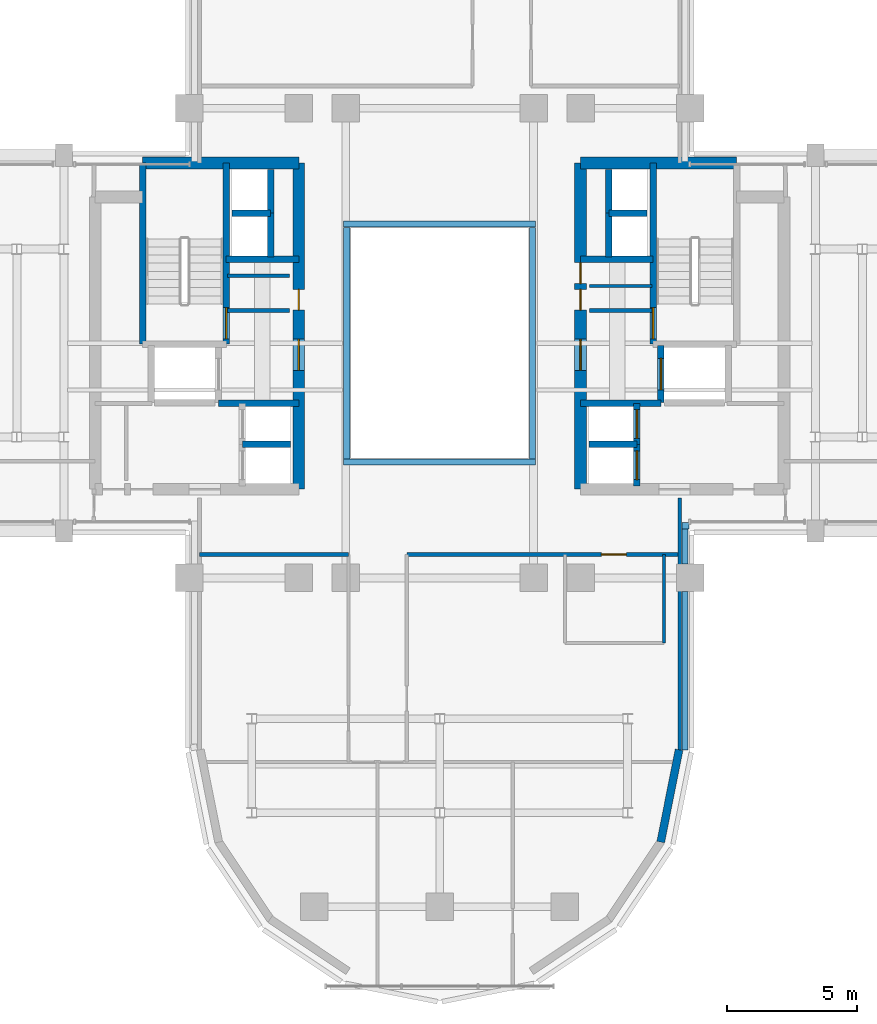
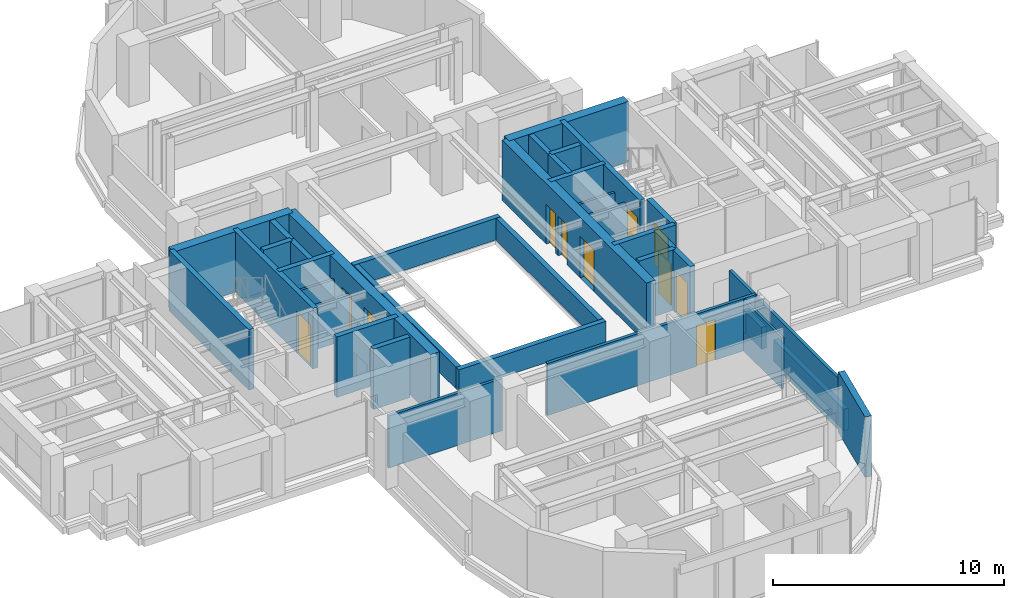
# One storey, part 9 of 14: 38 walls, 11 doors, 11 openings.
"""IFC4 building model written with IfcOpenShell, lengths in metres."""

from ifc_helpers import new_model, si_unit, direction, frame, frame_2d, origin, place, context, subcontext, project, spatial, rectangle, extrude, source, transform, mapped, material, layer, layer_set, type_object, element, fill, save


model = new_model("IFC4")

# Units and contexts
model_context = context("Model", 3, precision=1e-05, world=origin(), true_north=direction((0.0, 1.0)))
body_context = subcontext(model_context, "Body", "Model", "MODEL_VIEW")
ifc_project = project(units=[si_unit("LENGTHUNIT", "METRE"), si_unit("AREAUNIT", "SQUARE_METRE"), si_unit("VOLUMEUNIT", "CUBIC_METRE"), si_unit("PLANEANGLEUNIT", "RADIAN"), si_unit("MASSUNIT", "GRAM", prefix="KILO")], contexts=[model_context])

# Site, building, storey
site_placement = place(None, origin())
site = spatial("IfcSite", under=ifc_project, at=site_placement, CompositionType="ELEMENT")
building_placement = place(site_placement, origin())
building = spatial("IfcBuilding", under=site, at=building_placement, Name="Keilestroom Media Tower", CompositionType="ELEMENT")
storey_placement = place(building_placement, frame((0.0, 0.0, 124.39990234375)))
storey = spatial("IfcBuildingStorey", under=building, at=storey_placement, Name="L33", CompositionType="ELEMENT", Elevation=124.39990234375)

# Walls
ifc_material_1 = material(Name="Precast concrete C40/50", Category="concrete")
ifc_layer_1 = layer(ifc_material_1, 0.300048828125)
ifc_layer_set_1 = layer_set([ifc_layer_1], Name="Precast concrete C40/50")
wall_type_1 = type_object("IfcWallType", Name="Exterior-Masonry-Spandrel-Wall-300", PredefinedType="SOLIDWALL", material=ifc_layer_set_1)
wall_1_placement = place(storey_placement, frame((8.470703125, -19.12451171875, 0.0), z_axis=(0.0, 0.0, 1.0), x_axis=(0.195114232679, 0.980780523974, 0.0)))
element("IfcWall", 1, at=wall_1_placement, inside=storey, type_object=wall_type_1, Name="L33 Lobe Facet Precast Frame Wall 12", PredefinedType="SOLIDWALL", context=body_context, shape_type="SweptSolid", body=[
    extrude(rectangle(XDim=3.608642578125, YDim=0.300048828125, at=frame_2d((1.80419921875, 0.0))), origin(), (0.0, 0.0, 1.0), 3.2001953125),
])
ifc_material_2 = material(Name="Gypsum Plasterboard & Steel Stud", Category="steel")
ifc_layer_2 = layer(ifc_material_2, 0.1201171875)
ifc_layer_set_2 = layer_set([ifc_layer_2], Name="Gypsum Plasterboard & Steel Stud")
wall_type_2 = type_object("IfcWallType", Name="Interior-Partition-Wall-120", PredefinedType="PARTITIONING", material=ifc_layer_set_2)
for number, where, z_axis, x_axis, name in (
    (2, (-8.139892578125, 2.580078125, 0.0), (0.0, 0.0, 1.0), (1.0, 0.0, 0.0), "L33 Interior Wall WP-L33-CNW-N"),
    (3, (5.75, 2.179931640625, 0.0), (0.0, 0.0, 1.0), (1.0, 0.0, 0.0), "L33 Interior Wall WP-L33-CNE-N"),
):
    element("IfcWall", number, at=place(storey_placement, frame(where, z_axis=z_axis, x_axis=x_axis)), inside=storey, type_object=wall_type_2, Name=name, PredefinedType="PARTITIONING", context=body_context, shape_type="SweptSolid", body=[
        extrude(rectangle(XDim=2.389892578125, YDim=0.1201171875, at=frame_2d((1.19482421875, 0.0))), origin(), (0.0, 0.0, 1.0), 2.300048828125),
    ])
wall_2_placement = place(storey_placement, frame((8.60009765625, -11.5, 0.0), z_axis=(0.0, 0.0, 1.0), x_axis=(0.0, 1.0, 0.0)))
element("IfcWall", 4, at=wall_2_placement, inside=storey, type_object=wall_type_2, Name="L33 Interior Wall WP-L33-SL-WC-E", PredefinedType="PARTITIONING", context=body_context, shape_type="SweptSolid", body=[
    extrude(rectangle(XDim=3.39990234375, YDim=0.1201171875, at=frame_2d((1.699951171875, 0.0))), origin(), (0.0, 0.0, 1.0), 2.7001953125),
])
ifc_layer_3 = layer(ifc_material_2, 0.14990234375)
ifc_layer_set_3 = layer_set([ifc_layer_3], Name="Gypsum Plasterboard & Steel Stud")
wall_type_3 = type_object("IfcWallType", Name="Interior-Partition-Wall-150", PredefinedType="PARTITIONING", material=ifc_layer_set_3)
for number, where, z_axis, x_axis, name in (
    (5, (-8.139892578125, 1.239990234375, 0.0), (0.0, 0.0, 1.0), (1.0, 0.0, 0.0), "L33 Interior Wall WP-L33-FFW-TOP"),
    (6, (5.75, 1.239990234375, 0.0), (0.0, 0.0, 1.0), (1.0, 0.0, 0.0), "L33 Interior Wall WP-L33-FFE-TOP"),
):
    element("IfcWall", number, at=place(storey_placement, frame(where, z_axis=z_axis, x_axis=x_axis)), inside=storey, type_object=wall_type_3, Name=name, PredefinedType="PARTITIONING", context=body_context, shape_type="SweptSolid", body=[
        extrude(rectangle(XDim=2.389892578125, YDim=0.14990234375, at=frame_2d((1.19482421875, 0.0))), origin(), (0.0, 0.0, 1.0), 2.300048828125),
    ])
wall_3_placement = place(storey_placement, frame((9.199951171875, -15.679931640625, 0.0), z_axis=(0.0, 0.0, 1.0), x_axis=(0.0, 1.0, 0.0)))
element("IfcWall", 7, at=wall_3_placement, inside=storey, type_object=wall_type_3, Name="L33 Interior Wall WP-L33-SL-CHKE", PredefinedType="PARTITIONING", context=body_context, shape_type="SweptSolid", body=[
    extrude(rectangle(XDim=9.739990234375, YDim=0.14990234375, at=frame_2d((4.8701171875, 0.0))), origin(), (0.0, 0.0, 1.0), 2.7001953125),
])
wall_4_placement = place(storey_placement, frame((-9.199951171875, -8.10009765625, 0.0), z_axis=(0.0, 0.0, 1.0), x_axis=(1.0, 0.0, 0.0)))
element("IfcWall", 8, at=wall_4_placement, inside=storey, type_object=wall_type_3, Name="L33 Interior Wall WP-L33-SL-BASE-W", PredefinedType="PARTITIONING", context=body_context, shape_type="SweptSolid", body=[
    extrude(rectangle(XDim=5.699951171875, YDim=0.14990234375, at=frame_2d((2.85009765625, 0.0))), origin(), (0.0, 0.0, 1.0), 2.760009765625),
])

# Wall, opening, door
wall_5_placement = place(storey_placement, frame((-1.260009765625, -8.10009765625, 0.0), z_axis=(0.0, 0.0, 1.0), x_axis=(1.0, 0.0, 0.0)))
wall_5 = element("IfcWall", 9, at=wall_5_placement, inside=storey, type_object=wall_type_3, Name="L33 Interior Wall WP-L33-SL-BASE-E", PredefinedType="PARTITIONING", context=body_context, shape_type="SweptSolid", body=[
    extrude(rectangle(XDim=10.4599609375, YDim=0.14990234375, at=frame_2d((5.22998046875, 0.0))), origin(), (0.0, 0.0, 1.0), 2.760009765625),
])
opening_1_placement = place(wall_5_placement, frame((7.4599609375, 0.0, 0.0)))
opening_1 = element("IfcOpeningElement", 10, at=opening_1_placement, cuts=wall_5, Name="Opening DI-03", PredefinedType="OPENING", context=body_context, shape_type="SweptSolid", body=[
    extrude(rectangle(XDim=0.949951171875, YDim=2.14990234375, at=frame_2d((0.47509765625, 1.074951171875))), frame((0.0, 0.0849609375, 0.0), z_axis=(0.0, -1.0, 0.0), x_axis=(1.0, 0.0, 0.0)), (0.0, 0.0, 1.0), 0.169921875),
])
ifc_material_3 = material(Name="Lacquered European Oak Leaf", Category="wood")
door_type_1 = type_object("IfcDoorType", Name="Interior-Room-And-Suite-Door-DI-03", OperationType="NOTDEFINED", PredefinedType="DOOR", material=ifc_material_3)
shared_shape_1 = source(origin(), body_context, "Body", "SweptSolid", [
    extrude(rectangle(XDim=0.949951171875, YDim=2.14990234375, at=frame_2d((0.47509765625, 1.074951171875))), frame((0.0, 0.02490234375, 0.0), z_axis=(0.0, -1.0, 0.0), x_axis=(1.0, 0.0, 0.0)), (0.0, 0.0, 1.0), 0.050048828125),
])
door_1_placement = place(opening_1_placement, origin())
door_1 = element("IfcDoor", 11, at=door_1_placement, inside=storey, type_object=door_type_1, Name="L33 Interior Door DI-L33-DSL-WC", OperationType="SINGLE_SWING_RIGHT", OverallHeight=2.14990234375, OverallWidth=0.949951171875, PredefinedType="DOOR", context=body_context, shape_type="MappedRepresentation", body=[
    mapped(shared_shape_1, transform((0.0, 0.0, 0.0), x_axis=(1.0, 0.0, 0.0), y_axis=(0.0, 1.0, 0.0), z_axis=(0.0, 0.0, 1.0), scale=1.0)),
])
fill(opening_1, door_1)

# Wall, openings, doors
ifc_material_4 = material(Name="Concrete C55/67", Category="concrete")
ifc_layer_4 = layer(ifc_material_4, 0.449951171875)
ifc_layer_set_4 = layer_set([ifc_layer_4], Name="Concrete C55/67")
wall_type_4 = type_object("IfcWallType", Name="Reinforced-Concrete-Core-Shear-Wall-450", PredefinedType="SHEAR", material=ifc_layer_set_4)
wall_6_placement = place(storey_placement, frame((-5.39990234375, -5.60009765625, 0.0), z_axis=(0.0, 0.0, 1.0), x_axis=(0.0, 1.0, 0.0)))
wall_6 = element("IfcWall", 12, at=wall_6_placement, inside=storey, type_object=wall_type_4, Name="L33 Core Shear Wall WL-L33-CORE-W-IN", PredefinedType="SHEAR", context=body_context, shape_type="SweptSolid", body=[
    extrude(rectangle(XDim=12.5, YDim=0.449951171875, at=frame_2d((6.25, 0.0))), origin(), (0.0, 0.0, 1.0), 3.2001953125),
])
opening_2_placement = place(wall_6_placement, frame((4.550048828125, 0.0, 0.0)))
opening_2 = element("IfcOpeningElement", 13, at=opening_2_placement, cuts=wall_6, Name="Opening DI-02", PredefinedType="OPENING", context=body_context, shape_type="SweptSolid", body=[
    extrude(rectangle(XDim=1.199951171875, YDim=2.199951171875, at=frame_2d((0.60009765625, 1.10009765625))), frame((0.0, 0.23486328125, 0.0), z_axis=(0.0, -1.0, 0.0), x_axis=(1.0, 0.0, 0.0)), (0.0, 0.0, 1.0), 0.469970703125),
])
opening_3_placement = place(wall_6_placement, frame((6.860107421875, 0.0, 0.0)))
opening_3 = element("IfcOpeningElement", 14, at=opening_3_placement, cuts=wall_6, Name="Opening DI-06", PredefinedType="OPENING", context=body_context, shape_type="SweptSolid", body=[
    extrude(rectangle(XDim=0.800048828125, YDim=2.10009765625, at=frame_2d((0.39990234375, 1.050048828125))), frame((0.0, 0.23486328125, 0.0), z_axis=(0.0, -1.0, 0.0), x_axis=(1.0, 0.0, 0.0)), (0.0, 0.0, 1.0), 0.469970703125),
])
ifc_material_5 = material(Name="Powder-Coated Steel Fire Leaf", Category="steel")
door_type_2 = type_object("IfcDoorType", Name="Interior-Compartment-Fire-Door-DI-02", OperationType="NOTDEFINED", PredefinedType="DOOR", material=ifc_material_5)
shared_shape_2 = source(origin(), body_context, "Body", "SweptSolid", [
    extrude(rectangle(XDim=1.199951171875, YDim=2.199951171875, at=frame_2d((0.60009765625, 1.10009765625))), frame((0.0, 0.02490234375, 0.0), z_axis=(0.0, -1.0, 0.0), x_axis=(1.0, 0.0, 0.0)), (0.0, 0.0, 1.0), 0.050048828125),
])
door_2_placement = place(opening_2_placement, origin())
door_2 = element("IfcDoor", 15, at=door_2_placement, inside=storey, type_object=door_type_2, Name="L33 W Firefighting Lobby Door", OperationType="SINGLE_SWING_RIGHT", OverallHeight=2.199951171875, OverallWidth=1.199951171875, PredefinedType="DOOR", context=body_context, shape_type="MappedRepresentation", body=[
    mapped(shared_shape_2, transform((0.0, 0.0, 0.0), x_axis=(1.0, 0.0, 0.0), y_axis=(0.0, 1.0, 0.0), z_axis=(0.0, 0.0, 1.0), scale=1.0)),
])
fill(opening_2, door_2)
ifc_material_6 = material(Name="Powder-Coated Steel Service Leaf", Category="steel")
door_type_3 = type_object("IfcDoorType", Name="Interior-Riser-Access-Door-DI-06", OperationType="NOTDEFINED", PredefinedType="DOOR", material=ifc_material_6)
shared_shape_3 = source(origin(), body_context, "Body", "SweptSolid", [
    extrude(rectangle(XDim=0.800048828125, YDim=2.10009765625, at=frame_2d((0.39990234375, 1.050048828125))), frame((0.0, 0.02490234375, 0.0), z_axis=(0.0, -1.0, 0.0), x_axis=(1.0, 0.0, 0.0)), (0.0, 0.0, 1.0), 0.050048828125),
])
door_3_placement = place(opening_3_placement, origin())
door_3 = element("IfcDoor", 16, at=door_3_placement, inside=storey, type_object=door_type_3, Name="L33 West Core Switchroom Door", OperationType="SINGLE_SWING_LEFT", OverallHeight=2.10009765625, OverallWidth=0.800048828125, PredefinedType="DOOR", context=body_context, shape_type="MappedRepresentation", body=[
    mapped(shared_shape_3, transform((0.0, 0.0, 0.0), x_axis=(1.0, 0.0, 0.0), y_axis=(0.0, 1.0, 0.0), z_axis=(0.0, 0.0, 1.0), scale=1.0)),
])
fill(opening_3, door_3)

# Wall
wall_7_placement = place(storey_placement, frame((-11.381103515625, 6.89990234375, 0.0), z_axis=(0.0, 0.0, 1.0), x_axis=(1.0, 0.0, 0.0)))
element("IfcWall", 17, at=wall_7_placement, inside=storey, type_object=wall_type_4, Name="L33 Core Shear Wall WL-L33-CORE-W-N", PredefinedType="SHEAR", context=body_context, shape_type="SweptSolid", body=[
    extrude(rectangle(XDim=5.981201171875, YDim=0.449951171875, at=frame_2d((2.99072265625, 0.0))), origin(), (0.0, 0.0, 1.0), 3.2001953125),
])

# Wall, openings, doors
wall_8_placement = place(storey_placement, frame((5.39990234375, -5.60009765625, 0.0), z_axis=(0.0, 0.0, 1.0), x_axis=(0.0, 1.0, 0.0)))
wall_8 = element("IfcWall", 18, at=wall_8_placement, inside=storey, type_object=wall_type_4, Name="L33 Core Shear Wall WL-L33-CORE-E-IN", PredefinedType="SHEAR", context=body_context, shape_type="SweptSolid", body=[
    extrude(rectangle(XDim=12.5, YDim=0.449951171875, at=frame_2d((6.25, 0.0))), origin(), (0.0, 0.0, 1.0), 3.2001953125),
])
opening_4_placement = place(wall_8_placement, frame((4.550048828125, 0.0, 0.0)))
opening_4 = element("IfcOpeningElement", 19, at=opening_4_placement, cuts=wall_8, Name="Opening DI-02", PredefinedType="OPENING", context=body_context, shape_type="SweptSolid", body=[
    extrude(rectangle(XDim=1.199951171875, YDim=2.199951171875, at=frame_2d((0.60009765625, 1.10009765625))), frame((0.0, 0.23486328125, 0.0), z_axis=(0.0, -1.0, 0.0), x_axis=(1.0, 0.0, 0.0)), (0.0, 0.0, 1.0), 0.469970703125),
])
opening_5_placement = place(wall_8_placement, frame((6.860107421875, 0.0, 0.0)))
opening_5 = element("IfcOpeningElement", 20, at=opening_5_placement, cuts=wall_8, Name="Opening DI-06", PredefinedType="OPENING", context=body_context, shape_type="SweptSolid", body=[
    extrude(rectangle(XDim=0.800048828125, YDim=2.10009765625, at=frame_2d((0.39990234375, 1.050048828125))), frame((0.0, 0.23486328125, 0.0), z_axis=(0.0, -1.0, 0.0), x_axis=(1.0, 0.0, 0.0)), (0.0, 0.0, 1.0), 0.469970703125),
])
opening_6_placement = place(wall_8_placement, frame((7.8798828125, 0.0, 0.0)))
opening_6 = element("IfcOpeningElement", 21, at=opening_6_placement, cuts=wall_8, Name="Opening DI-06", PredefinedType="OPENING", context=body_context, shape_type="SweptSolid", body=[
    extrude(rectangle(XDim=0.800048828125, YDim=2.10009765625, at=frame_2d((0.39990234375, 1.050048828125))), frame((0.0, 0.23486328125, 0.0), z_axis=(0.0, -1.0, 0.0), x_axis=(1.0, 0.0, 0.0)), (0.0, 0.0, 1.0), 0.469970703125),
])
door_4_placement = place(opening_4_placement, origin())
door_4 = element("IfcDoor", 22, at=door_4_placement, inside=storey, type_object=door_type_2, Name="L33 E Firefighting Lobby Door", OperationType="SINGLE_SWING_LEFT", OverallHeight=2.199951171875, OverallWidth=1.199951171875, PredefinedType="DOOR", context=body_context, shape_type="MappedRepresentation", body=[
    mapped(shared_shape_2, transform((0.0, 0.0, 0.0), x_axis=(1.0, 0.0, 0.0), y_axis=(0.0, 1.0, 0.0), z_axis=(0.0, 0.0, 1.0), scale=1.0)),
])
fill(opening_4, door_4)
door_5_placement = place(opening_5_placement, origin())
door_5 = element("IfcDoor", 23, at=door_5_placement, inside=storey, type_object=door_type_3, Name="L33 East Core Telecom Door", OperationType="SINGLE_SWING_RIGHT", OverallHeight=2.10009765625, OverallWidth=0.800048828125, PredefinedType="DOOR", context=body_context, shape_type="MappedRepresentation", body=[
    mapped(shared_shape_3, transform((0.0, 0.0, 0.0), x_axis=(1.0, 0.0, 0.0), y_axis=(0.0, 1.0, 0.0), z_axis=(0.0, 0.0, 1.0), scale=1.0)),
])
fill(opening_5, door_5)
door_6_placement = place(opening_6_placement, origin())
door_6 = element("IfcDoor", 24, at=door_6_placement, inside=storey, type_object=door_type_3, Name="L33 East Core Closet Door", OperationType="SINGLE_SWING_RIGHT", OverallHeight=2.10009765625, OverallWidth=0.800048828125, PredefinedType="DOOR", context=body_context, shape_type="MappedRepresentation", body=[
    mapped(shared_shape_3, transform((0.0, 0.0, 0.0), x_axis=(1.0, 0.0, 0.0), y_axis=(0.0, 1.0, 0.0), z_axis=(0.0, 0.0, 1.0), scale=1.0)),
])
fill(opening_6, door_6)

# Walls
wall_9_placement = place(storey_placement, frame((5.39990234375, 6.89990234375, 0.0), z_axis=(0.0, 0.0, 1.0), x_axis=(1.0, 0.0, 0.0)))
element("IfcWall", 25, at=wall_9_placement, inside=storey, type_object=wall_type_4, Name="L33 Core Shear Wall WL-L33-CORE-E-N", PredefinedType="SHEAR", context=body_context, shape_type="SweptSolid", body=[
    extrude(rectangle(XDim=5.981201171875, YDim=0.449951171875, at=frame_2d((2.99072265625, 0.0))), origin(), (0.0, 0.0, 1.0), 3.2001953125),
])
ifc_material_7 = material(Name="Concrete C50/60", Category="concrete")
ifc_layer_5 = layer(ifc_material_7, 0.25)
ifc_layer_set_5 = layer_set([ifc_layer_5], Name="Concrete C50/60")
wall_type_5 = type_object("IfcWallType", Name="Reinforced-Concrete-Shaft-Wall-250", PredefinedType="SOLIDWALL", material=ifc_layer_set_5)
wall_10_placement = place(storey_placement, frame((-8.179931640625, 3.219970703125, 0.0), z_axis=(0.0, 0.0, 1.0), x_axis=(1.0, 0.0, 0.0)))
element("IfcWall", 26, at=wall_10_placement, inside=storey, type_object=wall_type_5, Name="L33 Core Shear Wall WL-L33-CORE-W-FFN", PredefinedType="SOLIDWALL", context=body_context, shape_type="SweptSolid", body=[
    extrude(rectangle(XDim=2.780029296875, YDim=0.25, at=frame_2d((1.39013671875, 0.0))), origin(), (0.0, 0.0, 1.0), 3.2001953125),
])
wall_11_placement = place(storey_placement, frame((-8.47998046875, -2.300048828125, 0.0), z_axis=(0.0, 0.0, 1.0), x_axis=(1.0, 0.0, 0.0)))
element("IfcWall", 27, at=wall_11_placement, inside=storey, type_object=wall_type_5, Name="L33 Core Shear Wall WL-L33-CORE-W-FFS", PredefinedType="SOLIDWALL", context=body_context, shape_type="SweptSolid", body=[
    extrude(rectangle(XDim=3.080078125, YDim=0.25, at=frame_2d((1.5400390625, 0.0))), origin(), (0.0, 0.0, 1.0), 3.2001953125),
])

# Wall, opening, door
wall_12_placement = place(storey_placement, frame((-8.178955078125, -0.041015625, 0.0), z_axis=(0.0, 0.0, 1.0), x_axis=(0.0, 1.0, 0.0)))
wall_12 = element("IfcWall", 28, at=wall_12_placement, inside=storey, type_object=wall_type_5, Name="L33 Core Shear Wall WL-L33-STW-W-NEAR", PredefinedType="SOLIDWALL", context=body_context, shape_type="SweptSolid", body=[
    extrude(rectangle(XDim=6.94091796875, YDim=0.25, at=frame_2d((3.470458984375, 0.0))), origin(), (0.0, 0.0, 1.0), 3.2001953125),
])
opening_7_placement = place(wall_12_placement, frame((0.199951171875, 0.0, 0.0)))
opening_7 = element("IfcOpeningElement", 29, at=opening_7_placement, cuts=wall_12, Name="Opening DI-01S", PredefinedType="OPENING", context=body_context, shape_type="SweptSolid", body=[
    extrude(rectangle(XDim=1.199951171875, YDim=2.199951171875, at=frame_2d((0.60009765625, 1.10009765625))), frame((0.0, 0.135009765625, 0.0), z_axis=(0.0, -1.0, 0.0), x_axis=(1.0, 0.0, 0.0)), (0.0, 0.0, 1.0), 0.27001953125),
])
door_type_4 = type_object("IfcDoorType", Name="Interior-Stair-And-Core-Fire-Door-DI-01", OperationType="NOTDEFINED", PredefinedType="DOOR", material=ifc_material_5)
door_7_placement = place(opening_7_placement, origin())
door_7 = element("IfcDoor", 30, at=door_7_placement, inside=storey, type_object=door_type_4, Name="L33 Escape Stair ST-1 Fire Door", OperationType="SINGLE_SWING_LEFT", OverallHeight=2.199951171875, OverallWidth=1.199951171875, PredefinedType="DOOR", context=body_context, shape_type="MappedRepresentation", body=[
    mapped(shared_shape_2, transform((0.0, 0.0, 0.0), x_axis=(1.0, 0.0, 0.0), y_axis=(0.0, 1.0, 0.0), z_axis=(0.0, 0.0, 1.0), scale=1.0)),
])
fill(opening_7, door_7)

# Walls
wall_13_placement = place(storey_placement, frame((-11.381103515625, -0.041015625, 0.0), z_axis=(0.0, 0.0, 1.0), x_axis=(0.0, 1.0, 0.0)))
element("IfcWall", 31, at=wall_13_placement, inside=storey, type_object=wall_type_5, Name="L33 Core Shear Wall WL-L33-STW-W-FAR", PredefinedType="SOLIDWALL", context=body_context, shape_type="SweptSolid", body=[
    extrude(rectangle(XDim=6.94091796875, YDim=0.25, at=frame_2d((3.470458984375, 0.0))), origin(), (0.0, 0.0, 1.0), 3.2001953125),
])
wall_14_placement = place(storey_placement, frame((5.39990234375, 3.219970703125, 0.0), z_axis=(0.0, 0.0, 1.0), x_axis=(1.0, 0.0, 0.0)))
element("IfcWall", 32, at=wall_14_placement, inside=storey, type_object=wall_type_5, Name="L33 Core Shear Wall WL-L33-CORE-E-FFN", PredefinedType="SOLIDWALL", context=body_context, shape_type="SweptSolid", body=[
    extrude(rectangle(XDim=2.780029296875, YDim=0.25, at=frame_2d((1.39013671875, 0.0))), origin(), (0.0, 0.0, 1.0), 3.2001953125),
])
wall_15_placement = place(storey_placement, frame((5.39990234375, -2.300048828125, 0.0), z_axis=(0.0, 0.0, 1.0), x_axis=(1.0, 0.0, 0.0)))
element("IfcWall", 33, at=wall_15_placement, inside=storey, type_object=wall_type_5, Name="L33 Core Shear Wall WL-L33-CORE-E-FFS", PredefinedType="SOLIDWALL", context=body_context, shape_type="SweptSolid", body=[
    extrude(rectangle(XDim=3.080078125, YDim=0.25, at=frame_2d((1.5400390625, 0.0))), origin(), (0.0, 0.0, 1.0), 3.2001953125),
])

# Wall, opening, door
wall_16_placement = place(storey_placement, frame((8.178955078125, -0.041015625, 0.0), z_axis=(0.0, 0.0, 1.0), x_axis=(0.0, 1.0, 0.0)))
wall_16 = element("IfcWall", 34, at=wall_16_placement, inside=storey, type_object=wall_type_5, Name="L33 Core Shear Wall WL-L33-STW-E-NEAR", PredefinedType="SOLIDWALL", context=body_context, shape_type="SweptSolid", body=[
    extrude(rectangle(XDim=6.94091796875, YDim=0.25, at=frame_2d((3.470458984375, 0.0))), origin(), (0.0, 0.0, 1.0), 3.2001953125),
])
opening_8_placement = place(wall_16_placement, frame((0.199951171875, 0.0, 0.0)))
opening_8 = element("IfcOpeningElement", 35, at=opening_8_placement, cuts=wall_16, Name="Opening DI-01S", PredefinedType="OPENING", context=body_context, shape_type="SweptSolid", body=[
    extrude(rectangle(XDim=1.199951171875, YDim=2.199951171875, at=frame_2d((0.60009765625, 1.10009765625))), frame((0.0, 0.135009765625, 0.0), z_axis=(0.0, -1.0, 0.0), x_axis=(1.0, 0.0, 0.0)), (0.0, 0.0, 1.0), 0.27001953125),
])
door_8_placement = place(opening_8_placement, origin())
door_8 = element("IfcDoor", 36, at=door_8_placement, inside=storey, type_object=door_type_4, Name="L33 Escape Stair ST-2 Fire Door", OperationType="SINGLE_SWING_RIGHT", OverallHeight=2.199951171875, OverallWidth=1.199951171875, PredefinedType="DOOR", context=body_context, shape_type="MappedRepresentation", body=[
    mapped(shared_shape_2, transform((0.0, 0.0, 0.0), x_axis=(1.0, 0.0, 0.0), y_axis=(0.0, 1.0, 0.0), z_axis=(0.0, 0.0, 1.0), scale=1.0)),
])
fill(opening_8, door_8)

wall_17_placement = place(storey_placement, frame((8.47998046875, -2.280029296875, 0.0), z_axis=(0.0, 0.0, 1.0), x_axis=(0.0, 1.0, 0.0)))
wall_17 = element("IfcWall", 37, at=wall_17_placement, inside=storey, type_object=wall_type_5, Name="L33 Core Shear Wall WL-L33-LSH-FFL-2-W", PredefinedType="SOLIDWALL", context=body_context, shape_type="SweptSolid", body=[
    extrude(rectangle(XDim=2.179931640625, YDim=0.25, at=frame_2d((1.08984375, 0.0))), origin(), (0.0, 0.0, 1.0), 3.2001953125),
])
opening_9_placement = place(wall_17_placement, frame((0.489990234375, 0.0, 0.0)))
opening_9 = element("IfcOpeningElement", 38, at=opening_9_placement, cuts=wall_17, Name="Opening LD-02", PredefinedType="OPENING", context=body_context, shape_type="SweptSolid", body=[
    extrude(rectangle(XDim=1.199951171875, YDim=2.199951171875, at=frame_2d((0.60009765625, 1.10009765625))), frame((0.0, 0.135009765625, 0.0), z_axis=(0.0, -1.0, 0.0), x_axis=(1.0, 0.0, 0.0)), (0.0, 0.0, 1.0), 0.27001953125),
])
ifc_material_8 = material(Name="Brushed Stainless Steel Sliding Leaf", Category="steel")
door_type_5 = type_object("IfcDoorType", Name="Lift-Landing-Sliding-Door-LD-02", OperationType="SLIDING_TO_RIGHT", PredefinedType="DOOR", material=ifc_material_8)
door_9_placement = place(opening_9_placement, origin())
door_9 = element("IfcDoor", 39, at=door_9_placement, inside=storey, type_object=door_type_5, Name="L33 Lift FFL-2 Landing Sliding Door", OperationType="SLIDING_TO_RIGHT", OverallHeight=2.199951171875, OverallWidth=1.199951171875, PredefinedType="DOOR", context=body_context, shape_type="MappedRepresentation", body=[
    mapped(shared_shape_2, transform((0.0, 0.0, 0.0), x_axis=(1.0, 0.0, 0.0), y_axis=(0.0, 1.0, 0.0), z_axis=(0.0, 0.0, 1.0), scale=1.0)),
])
fill(opening_9, door_9)

# Wall
wall_18_placement = place(storey_placement, frame((-7.56005859375, -3.8798828125, 0.0), z_axis=(0.0, 0.0, 1.0), x_axis=(1.0, 0.0, 0.0)))
element("IfcWall", 40, at=wall_18_placement, inside=storey, type_object=wall_type_5, Name="L33 Core Shear Wall WL-L33-LSH-PL-M1-N", PredefinedType="SOLIDWALL", context=body_context, shape_type="SweptSolid", body=[
    extrude(rectangle(XDim=1.840087890625, YDim=0.25, at=frame_2d((0.919921875, 0.0))), origin(), (0.0, 0.0, 1.0), 3.2001953125),
])

# Wall, opening, door
wall_19_placement = place(storey_placement, frame((7.56005859375, -5.47998046875, 0.0), z_axis=(0.0, 0.0, 1.0), x_axis=(0.0, 1.0, 0.0)))
wall_19 = element("IfcWall", 41, at=wall_19_placement, inside=storey, type_object=wall_type_5, Name="L33 Core Shear Wall WL-L33-LSH-PL-M3-E", PredefinedType="SOLIDWALL", context=body_context, shape_type="SweptSolid", body=[
    extrude(rectangle(XDim=1.60009765625, YDim=0.25, at=frame_2d((0.800048828125, 0.0))), origin(), (0.0, 0.0, 1.0), 3.2001953125),
])
opening_10_placement = place(wall_19_placement, frame((0.25, 0.0, 0.0)))
opening_10 = element("IfcOpeningElement", 42, at=opening_10_placement, cuts=wall_19, Name="Opening LD-01", PredefinedType="OPENING", context=body_context, shape_type="SweptSolid", body=[
    extrude(rectangle(XDim=1.10009765625, YDim=2.199951171875, at=frame_2d((0.550048828125, 1.10009765625))), frame((0.0, 0.135009765625, 0.0), z_axis=(0.0, -1.0, 0.0), x_axis=(1.0, 0.0, 0.0)), (0.0, 0.0, 1.0), 0.27001953125),
])
door_type_6 = type_object("IfcDoorType", Name="Lift-Landing-Sliding-Door-LD-01", OperationType="SLIDING_TO_LEFT", PredefinedType="DOOR", material=ifc_material_8)
shared_shape_4 = source(origin(), body_context, "Body", "SweptSolid", [
    extrude(rectangle(XDim=1.10009765625, YDim=2.199951171875, at=frame_2d((0.550048828125, 1.10009765625))), frame((0.0, 0.02490234375, 0.0), z_axis=(0.0, -1.0, 0.0), x_axis=(1.0, 0.0, 0.0)), (0.0, 0.0, 1.0), 0.050048828125),
])
door_10_placement = place(opening_10_placement, origin())
door_10 = element("IfcDoor", 43, at=door_10_placement, inside=storey, type_object=door_type_6, Name="L33 Lift PL-M3 Landing Sliding Door", OperationType="SLIDING_TO_LEFT", OverallHeight=2.199951171875, OverallWidth=1.10009765625, PredefinedType="DOOR", context=body_context, shape_type="MappedRepresentation", body=[
    mapped(shared_shape_4, transform((0.0, 0.0, 0.0), x_axis=(1.0, 0.0, 0.0), y_axis=(0.0, 1.0, 0.0), z_axis=(0.0, 0.0, 1.0), scale=1.0)),
])
fill(opening_10, door_10)

# Wall
wall_20_placement = place(storey_placement, frame((5.719970703125, -3.8798828125, 0.0), z_axis=(0.0, 0.0, 1.0), x_axis=(1.0, 0.0, 0.0)))
element("IfcWall", 44, at=wall_20_placement, inside=storey, type_object=wall_type_5, Name="L33 Core Shear Wall WL-L33-LSH-PL-M3-N", PredefinedType="SOLIDWALL", context=body_context, shape_type="SweptSolid", body=[
    extrude(rectangle(XDim=1.840087890625, YDim=0.25, at=frame_2d((0.919921875, 0.0))), origin(), (0.0, 0.0, 1.0), 3.2001953125),
])

# Wall, opening, door
wall_21_placement = place(storey_placement, frame((7.56005859375, -3.8798828125, 0.0), z_axis=(0.0, 0.0, 1.0), x_axis=(0.0, 1.0, 0.0)))
wall_21 = element("IfcWall", 45, at=wall_21_placement, inside=storey, type_object=wall_type_5, Name="L33 Core Shear Wall WL-L33-LSH-PL-M4-E", PredefinedType="SOLIDWALL", context=body_context, shape_type="SweptSolid", body=[
    extrude(rectangle(XDim=1.559814453125, YDim=0.25, at=frame_2d((0.77978515625, 0.0))), origin(), (0.0, 0.0, 1.0), 3.2001953125),
])
opening_11_placement = place(wall_21_placement, frame((0.22998046875, 0.0, 0.0)))
opening_11 = element("IfcOpeningElement", 46, at=opening_11_placement, cuts=wall_21, Name="Opening LD-01", PredefinedType="OPENING", context=body_context, shape_type="SweptSolid", body=[
    extrude(rectangle(XDim=1.10009765625, YDim=2.199951171875, at=frame_2d((0.550048828125, 1.10009765625))), frame((0.0, 0.135009765625, 0.0), z_axis=(0.0, -1.0, 0.0), x_axis=(1.0, 0.0, 0.0)), (0.0, 0.0, 1.0), 0.27001953125),
])
door_11_placement = place(opening_11_placement, origin())
door_11 = element("IfcDoor", 47, at=door_11_placement, inside=storey, type_object=door_type_6, Name="L33 Lift PL-M4 Landing Sliding Door", OperationType="SLIDING_TO_LEFT", OverallHeight=2.199951171875, OverallWidth=1.10009765625, PredefinedType="DOOR", context=body_context, shape_type="MappedRepresentation", body=[
    mapped(shared_shape_4, transform((0.0, 0.0, 0.0), x_axis=(1.0, 0.0, 0.0), y_axis=(0.0, 1.0, 0.0), z_axis=(0.0, 0.0, 1.0), scale=1.0)),
])
fill(opening_11, door_11)

# Walls
wall_22_placement = place(storey_placement, frame((-6.47998046875, 3.300048828125, 0.0), z_axis=(0.0, 0.0, 1.0), x_axis=(0.0, 1.0, 0.0)))
element("IfcWall", 48, at=wall_22_placement, inside=storey, type_object=wall_type_5, Name="L33 Core Shear Wall WL-L33-LSH-PL-H1-E", PredefinedType="SOLIDWALL", context=body_context, shape_type="SweptSolid", body=[
    extrude(rectangle(XDim=1.679931640625, YDim=0.25, at=frame_2d((0.83984375, 0.0))), origin(), (0.0, 0.0, 1.0), 3.2001953125),
])
wall_23_placement = place(storey_placement, frame((-7.949951171875, 4.97998046875, 0.0), z_axis=(0.0, 0.0, 1.0), x_axis=(1.0, 0.0, 0.0)))
element("IfcWall", 49, at=wall_23_placement, inside=storey, type_object=wall_type_5, Name="L33 Core Shear Wall WL-L33-LSH-PL-H1-N", PredefinedType="SOLIDWALL", context=body_context, shape_type="SweptSolid", body=[
    extrude(rectangle(XDim=1.469970703125, YDim=0.25, at=frame_2d((0.73486328125, 0.0))), origin(), (0.0, 0.0, 1.0), 3.2001953125),
])
wall_24_placement = place(storey_placement, frame((-6.47998046875, 4.97998046875, 0.0), z_axis=(0.0, 0.0, 1.0), x_axis=(0.0, 1.0, 0.0)))
element("IfcWall", 50, at=wall_24_placement, inside=storey, type_object=wall_type_5, Name="L33 Core Shear Wall WL-L33-LSH-PL-H2-E", PredefinedType="SOLIDWALL", context=body_context, shape_type="SweptSolid", body=[
    extrude(rectangle(XDim=1.669921875, YDim=0.25, at=frame_2d((0.8349609375, 0.0))), origin(), (0.0, 0.0, 1.0), 3.2001953125),
])
wall_25_placement = place(storey_placement, frame((6.47998046875, 3.300048828125, 0.0), z_axis=(0.0, 0.0, 1.0), x_axis=(0.0, 1.0, 0.0)))
element("IfcWall", 51, at=wall_25_placement, inside=storey, type_object=wall_type_5, Name="L33 Core Shear Wall WL-L33-LSH-PL-H3-W", PredefinedType="SOLIDWALL", context=body_context, shape_type="SweptSolid", body=[
    extrude(rectangle(XDim=1.679931640625, YDim=0.25, at=frame_2d((0.83984375, 0.0))), origin(), (0.0, 0.0, 1.0), 3.2001953125),
])
wall_26_placement = place(storey_placement, frame((6.47998046875, 4.97998046875, 0.0), z_axis=(0.0, 0.0, 1.0), x_axis=(1.0, 0.0, 0.0)))
element("IfcWall", 52, at=wall_26_placement, inside=storey, type_object=wall_type_5, Name="L33 Core Shear Wall WL-L33-LSH-PL-H3-N", PredefinedType="SOLIDWALL", context=body_context, shape_type="SweptSolid", body=[
    extrude(rectangle(XDim=1.469970703125, YDim=0.25, at=frame_2d((0.73486328125, 0.0))), origin(), (0.0, 0.0, 1.0), 3.2001953125),
])
wall_27_placement = place(storey_placement, frame((6.47998046875, 4.97998046875, 0.0), z_axis=(0.0, 0.0, 1.0), x_axis=(0.0, 1.0, 0.0)))
element("IfcWall", 53, at=wall_27_placement, inside=storey, type_object=wall_type_5, Name="L33 Core Shear Wall WL-L33-LSH-PL-H4-W", PredefinedType="SOLIDWALL", context=body_context, shape_type="SweptSolid", body=[
    extrude(rectangle(XDim=1.669921875, YDim=0.25, at=frame_2d((0.8349609375, 0.0))), origin(), (0.0, 0.0, 1.0), 3.2001953125),
])
ifc_layer_6 = layer(ifc_material_1, 0.239990234375)
ifc_layer_set_6 = layer_set([ifc_layer_6], Name="Precast concrete C40/50")
wall_type_6 = type_object("IfcWallType", Name="Roof-And-Terrace-Parapet-Wall-240", PredefinedType="PARAPET", material=ifc_layer_set_6)
wall_28_placement = place(storey_placement, frame((9.547119140625, -7.0, 0.0), z_axis=(0.0, 0.0, 1.0), x_axis=(-1.0, 0.0, 0.0)))
element("IfcWall", 54, at=wall_28_placement, inside=storey, type_object=wall_type_6, Name="L33 Perimeter Edge Parapet Wall 04", PredefinedType="PARAPET", context=body_context, shape_type="SweptSolid", body=[
    extrude(rectangle(XDim=0.26904296875, YDim=0.239990234375, at=frame_2d((0.134521484375, 0.0))), origin(), (0.0, 0.0, 1.0), 1.150146484375),
])
wall_29_placement = place(storey_placement, frame((9.39990234375, -7.123046875, 0.0), z_axis=(0.0, 0.0, 1.0), x_axis=(0.0, -1.0, 0.0)))
element("IfcWall", 55, at=wall_29_placement, inside=storey, type_object=wall_type_6, Name="L33 Perimeter Edge Parapet Wall 05", PredefinedType="PARAPET", context=body_context, shape_type="SweptSolid", body=[
    extrude(rectangle(XDim=1.348876953125, YDim=0.239990234375, at=frame_2d((0.67431640625, 0.0))), origin(), (0.0, 0.0, 1.0), 1.150146484375),
])
wall_30_placement = place(storey_placement, frame((9.39990234375, -9.528076171875, 0.0), z_axis=(0.0, 0.0, 1.0), x_axis=(0.0, -1.0, 0.0)))
element("IfcWall", 56, at=wall_30_placement, inside=storey, type_object=wall_type_6, Name="L33 Perimeter Edge Parapet Wall 06", PredefinedType="PARAPET", context=body_context, shape_type="SweptSolid", body=[
    extrude(rectangle(XDim=6.07470703125, YDim=0.239990234375, at=frame_2d((3.037353515625, 0.0))), origin(), (0.0, 0.0, 1.0), 1.150146484375),
])
for number, where, z_axis, x_axis, name in (
    (57, (-3.679931640625, -4.56005859375, 0.0), (0.0, 0.0, 1.0), (1.0, 0.0, 0.0), "L33 Central Atrium Guard Parapet S"),
    (58, (-3.679931640625, 4.56005859375, 0.0), (0.0, 0.0, 1.0), (1.0, 0.0, 0.0), "L33 Central Atrium Guard Parapet N"),
):
    element("IfcWall", number, at=place(storey_placement, frame(where, z_axis=z_axis, x_axis=x_axis)), inside=storey, type_object=wall_type_6, Name=name, PredefinedType="PARAPET", context=body_context, shape_type="SweptSolid", body=[
        extrude(rectangle(XDim=7.35986328125, YDim=0.239990234375, at=frame_2d((3.679931640625, 0.0))), origin(), (0.0, 0.0, 1.0), 1.150146484375),
    ])
for number, where, z_axis, x_axis, name in (
    (59, (-3.56005859375, -4.43505859375, 0.0), (0.0, 0.0, 1.0), (0.0, 1.0, 0.0), "L33 Central Atrium Guard Parapet W"),
    (60, (3.56005859375, -4.43505859375, 0.0), (0.0, 0.0, 1.0), (0.0, 1.0, 0.0), "L33 Central Atrium Guard Parapet E"),
):
    element("IfcWall", number, at=place(storey_placement, frame(where, z_axis=z_axis, x_axis=x_axis)), inside=storey, type_object=wall_type_6, Name=name, PredefinedType="PARAPET", context=body_context, shape_type="SweptSolid", body=[
        extrude(rectangle(XDim=8.8701171875, YDim=0.239990234375, at=frame_2d((4.43505859375, 0.0))), origin(), (0.0, 0.0, 1.0), 1.150146484375),
    ])

save(model, "model.ifc")
